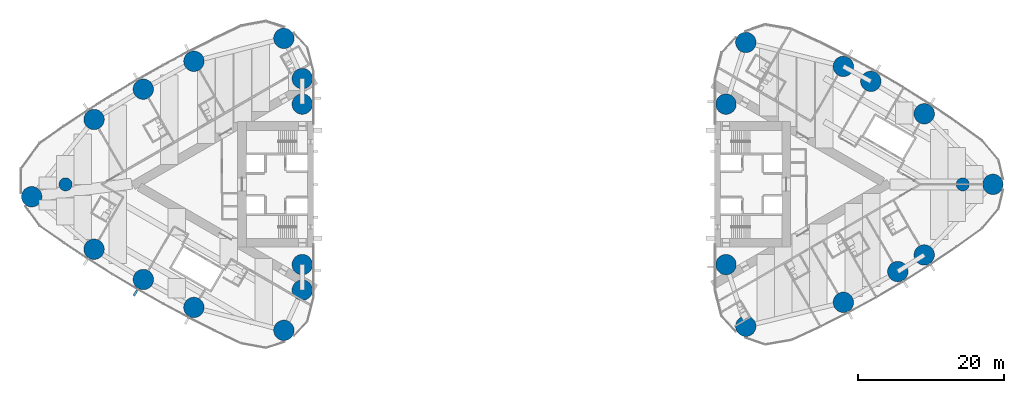
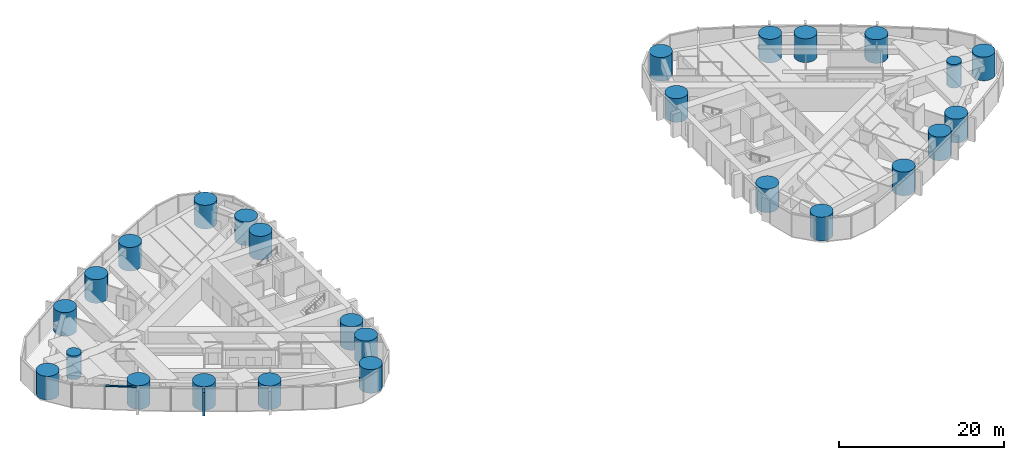
# One storey, part 1 of 19: 26 columns, 2 members, 1 element without a shape of its own.
"""IFC4 building model written with IfcOpenShell, lengths in metres."""

from ifc_helpers import new_model, si_unit, direction, frame, origin, origin_2d, place, context, subcontext, project, spatial, rectangle, circle, extrude, material, material_profile, profile_set, type_object, element, aggregate, save


model = new_model("IFC4")

# Units and contexts
model_context = context("Model", 3, precision=1e-05, world=origin(), true_north=direction((0.0, 1.0)))
body_context = subcontext(model_context, "Body", "Model", "MODEL_VIEW")
ifc_project = project(units=[si_unit("LENGTHUNIT", "METRE"), si_unit("AREAUNIT", "SQUARE_METRE"), si_unit("VOLUMEUNIT", "CUBIC_METRE"), si_unit("PLANEANGLEUNIT", "RADIAN"), si_unit("MASSUNIT", "GRAM", prefix="KILO")], contexts=[model_context])

# Site, building, storey
site_placement = place(None, origin())
site = spatial("IfcSite", under=ifc_project, at=site_placement, CompositionType="ELEMENT")
building_placement = place(site_placement, origin())
building = spatial("IfcBuilding", under=site, at=building_placement, Name="Lancet Gate Hotel", CompositionType="ELEMENT")
storey_placement = place(building_placement, frame((0.0, 0.0, 198.300048828125)))
storey = spatial("IfcBuildingStorey", under=building, at=storey_placement, Name="L53", CompositionType="ELEMENT", Elevation=198.300048828125)

# Columns
ifc_material_1 = material(Name="Concrete C60/75", Category="concrete")
ifc_material_profile_1 = material_profile(ifc_material_1, circle(Radius=0.89990234375, at=origin_2d()), Name="RC D1800")
ifc_profile_set_1 = profile_set([ifc_material_profile_1], Name="Concrete C60/75")
column_type_1 = type_object("IfcColumnType", Name="Apex column RC D1800", PredefinedType="COLUMN", material=ifc_profile_set_1)
for number, where, z_axis, x_axis, name in (
    (1, (-61.5, 0.0, 0.0), (0.0, 0.0, 1.0), (1.0, 0.0, 0.0), "T1 column AX L53"),
    (2, (61.5, 0.0, 0.0), (0.0, 0.0, 1.0), (1.0, 0.0, 0.0), "T2 column AX L53"),
):
    element("IfcColumn", number, at=place(storey_placement, frame(where, z_axis=z_axis, x_axis=x_axis)), inside=storey, type_object=column_type_1, Name=name, PredefinedType="COLUMN", context=body_context, shape_type="SweptSolid", body=[
        extrude(circle(Radius=0.89990234375, at=origin_2d()), origin(), (0.0, 0.0, 1.0), 3.5),
    ])
ifc_material_2 = material(Name="Concrete C60/75", Category="concrete")
ifc_material_profile_2 = material_profile(ifc_material_2, circle(Radius=1.39990234375, at=origin_2d()), Name="RC D2800")
ifc_profile_set_2 = profile_set([ifc_material_profile_2], Name="Concrete C60/75")
column_type_2 = type_object("IfcColumnType", Name="Perimeter column RC D2800", PredefinedType="COLUMN", material=ifc_profile_set_2)
for number, where, z_axis, x_axis, name in (
    (3, (-66.142578125, -1.6953125, 0.0), (0.0, 0.0, 1.0), (1.0, 0.0, 0.0), "T1 column CA L53"),
    (4, (-31.5654296875, -20.015869140625, 0.0), (0.0, 0.0, 1.0), (1.0, 0.0, 0.0), "T1 column CN L53"),
    (5, (-31.5654296875, 20.015869140625, 0.0), (0.0, 0.0, 1.0), (1.0, 0.0, 0.0), "T1 column CS L53"),
    (6, (-29.050048828125, -11.0, 0.0), (0.0, 0.0, 1.0), (1.0, 0.0, 0.0), "T1 column IN L53"),
    (7, (-29.050048828125, 11.0, 0.0), (0.0, 0.0, 1.0), (1.0, 0.0, 0.0), "T1 column IS L53"),
    (8, (-29.050048828125, 14.5, 0.0), (0.0, 0.0, 1.0), (1.0, 0.0, 0.0), "T1 column IT L53"),
    (9, (-29.050048828125, -14.5, 0.0), (0.0, 0.0, 1.0), (1.0, 0.0, 0.0), "T1 column JT L53"),
    (10, (-57.589599609375, -8.89306640625, 0.0), (0.0, 0.0, 1.0), (1.0, 0.0, 0.0), "T1 column ON1 L53"),
    (11, (-50.8388671875, -13.043212890625, 0.0), (0.0, 0.0, 1.0), (1.0, 0.0, 0.0), "T1 column ON2 L53"),
    (12, (-43.900390625, -16.871337890625, 0.0), (0.0, 0.0, 1.0), (1.0, 0.0, 0.0), "T1 column ON3 L53"),
    (13, (-43.900390625, 16.871337890625, 0.0), (0.0, 0.0, 1.0), (1.0, 0.0, 0.0), "T1 column OS1 L53"),
    (14, (-50.8388671875, 13.043212890625, 0.0), (0.0, 0.0, 1.0), (1.0, 0.0, 0.0), "T1 column OS2 L53"),
    (15, (-57.589599609375, 8.89306640625, 0.0), (0.0, 0.0, 1.0), (1.0, 0.0, 0.0), "T1 column OS3 L53"),
    (16, (65.6396484375, 0.0, 0.0), (0.0, 0.0, 1.0), (1.0, 0.0, 0.0), "T2 column CA L53"),
    (17, (31.759765625, 19.455810546875, 0.0), (0.0, 0.0, 1.0), (1.0, 0.0, 0.0), "T2 column CN L53"),
    (18, (31.759765625, -19.455810546875, 0.0), (0.0, 0.0, 1.0), (1.0, 0.0, 0.0), "T2 column CS L53"),
    (19, (29.050048828125, 11.0, 0.0), (0.0, 0.0, 1.0), (1.0, 0.0, 0.0), "T2 column IN L53"),
    (20, (29.050048828125, -11.0, 0.0), (0.0, 0.0, 1.0), (1.0, 0.0, 0.0), "T2 column IS L53"),
    (21, (56.220947265625, 9.67236328125, 0.0), (0.0, 0.0, 1.0), (1.0, 0.0, 0.0), "T2 column ON1 L53"),
    (22, (48.8974609375, 14.12060546875, 0.0), (0.0, 0.0, 1.0), (1.0, 0.0, 0.0), "T2 column ON2 L53"),
    (23, (45.133544921875, 16.16845703125, 0.0), (0.0, 0.0, 1.0), (1.0, 0.0, 0.0), "T2 column ON3 L53"),
    (24, (45.133544921875, -16.16845703125, 0.0), (0.0, 0.0, 1.0), (1.0, 0.0, 0.0), "T2 column OS1 L53"),
    (25, (52.594482421875, -11.95458984375, 0.0), (0.0, 0.0, 1.0), (1.0, 0.0, 0.0), "T2 column OS2 L53"),
    (26, (56.220947265625, -9.67236328125, 0.0), (0.0, 0.0, 1.0), (1.0, 0.0, 0.0), "T2 column OS3 L53"),
):
    element("IfcColumn", number, at=place(storey_placement, frame(where, z_axis=z_axis, x_axis=x_axis)), inside=storey, type_object=column_type_2, Name=name, PredefinedType="COLUMN", context=body_context, shape_type="SweptSolid", body=[
        extrude(circle(Radius=1.39990234375, at=origin_2d()), origin(), (0.0, 0.0, 1.0), 3.5),
    ])

# Curtain wall, members
ifc_material_3 = material(Name="Aluminium curtain wall", Category="aluminium")
curtain_wall_type = type_object("IfcCurtainWallType", Name="Tower unitised curtain wall", PredefinedType="USERDEFINED", material=ifc_material_3)
curtain_wall_placement = place(storey_placement, origin())
curtain_wall = element("IfcCurtainWall", 27, at=curtain_wall_placement, inside=storey, type_object=curtain_wall_type, Name="T1 L53 curtain wall 3", ObjectType="UNITISED CURTAIN WALL", PredefinedType="USERDEFINED")
ifc_material_4 = material(Name="Aluminium transom", Category="aluminium")
ifc_material_profile_3 = material_profile(ifc_material_4, rectangle(XDim=0.25, YDim=0.14990234375, at=origin_2d()), Name="TRANSOM 250x150")
ifc_profile_set_3 = profile_set([ifc_material_profile_3], Name="Aluminium transom")
member_type_1 = type_object("IfcMemberType", Name="Aluminium transom 250x150", PredefinedType="USERDEFINED", material=ifc_profile_set_3)
member_1_placement = place(storey_placement, frame((-61.735595703125, -7.998779296875, 3.425048828125), z_axis=(0.832870509189, -0.553467898729, 0.0), x_axis=(0.553467898729, 0.832870509189, 0.0)))
member_1 = element("IfcMember", 28, at=member_1_placement, type_object=member_type_1, Name="T1 L53 curtain wall 3 transom 3", ObjectType="TRANSOM", PredefinedType="USERDEFINED", context=body_context, shape_type="SweptSolid", body=[
    extrude(rectangle(XDim=0.25, YDim=0.14990234375, at=origin_2d()), origin(), (0.0, 0.0, 1.0), 3.933837890625),
])
ifc_material_5 = material(Name="Precast concrete C50/60", Category="concrete")
ifc_material_profile_4 = material_profile(ifc_material_5, rectangle(XDim=0.300048828125, YDim=0.89990234375, at=origin_2d()), Name="FIN 300x900")
ifc_profile_set_4 = profile_set([ifc_material_profile_4], Name="Precast concrete C50/60")
member_type_2 = type_object("IfcMemberType", Name="Exposed concrete fin 300x900", PredefinedType="USERDEFINED", material=ifc_profile_set_4)
member_2_placement = place(storey_placement, frame((-51.908935546875, -14.879150390625, 0.0), z_axis=(0.0, 0.0, 1.0), x_axis=(0.863968774311, -0.503545387245, 0.0)))
member_2 = element("IfcMember", 29, at=member_2_placement, type_object=member_type_2, Name="T1 L53 curtain wall 3 fin 6", ObjectType="FIN", PredefinedType="USERDEFINED", context=body_context, shape_type="SweptSolid", body=[
    extrude(rectangle(XDim=0.300048828125, YDim=0.89990234375, at=origin_2d()), origin(), (0.0, 0.0, 1.0), 3.5),
])
aggregate(curtain_wall, [member_2, member_1])

save(model, "model.ifc")
